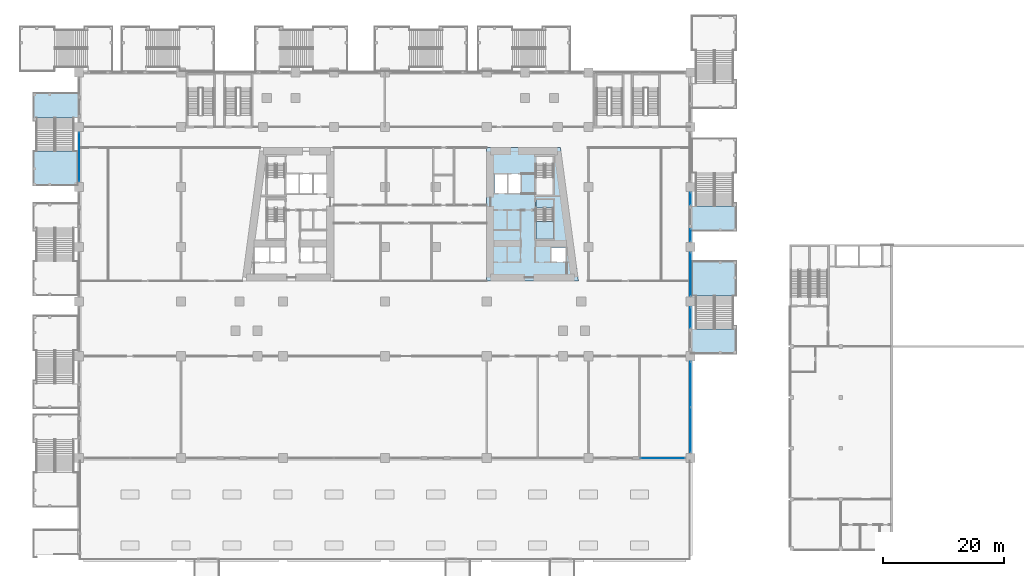
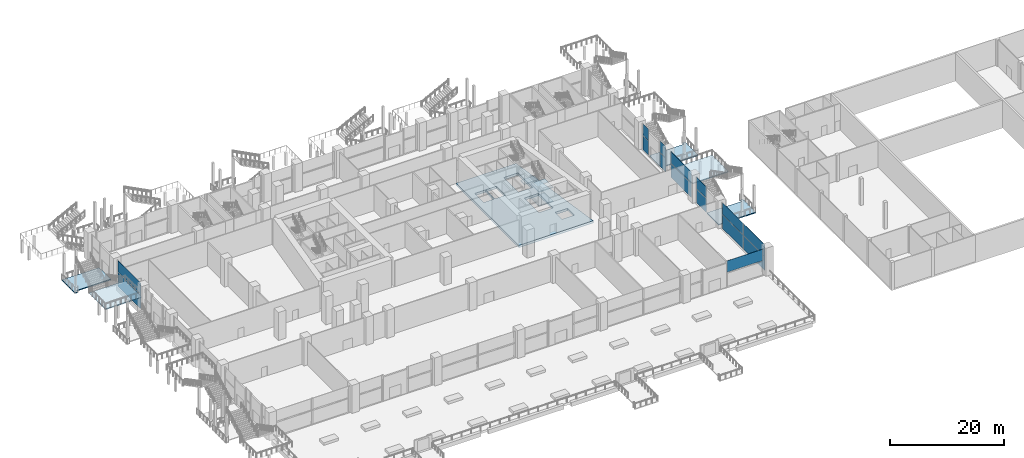
# One storey, part 15 of 47: 15 plates, 9 slabs, 10 elements without a shape of their own.
"""IFC4 building model written with IfcOpenShell, lengths in metres."""

from ifc_helpers import new_model, si_unit, direction, frame, origin, origin_2d, place, context, subcontext, project, spatial, polyline, rectangle, outline, extrude, material, layer, layer_set, type_object, element, aggregate, save


model = new_model("IFC4")

# Units and contexts
model_context = context("Model", 3, precision=1e-05, world=origin(), true_north=direction((0.0, 1.0)))
body_context = subcontext(model_context, "Body", "Model", "MODEL_VIEW")
ifc_project = project(units=[si_unit("LENGTHUNIT", "METRE"), si_unit("AREAUNIT", "SQUARE_METRE"), si_unit("VOLUMEUNIT", "CUBIC_METRE"), si_unit("PLANEANGLEUNIT", "RADIAN"), si_unit("MASSUNIT", "GRAM", prefix="KILO")], contexts=[model_context])

# Site, building, storey
site_placement = place(None, origin())
site = spatial("IfcSite", under=ifc_project, at=site_placement, CompositionType="ELEMENT")
building_placement = place(site_placement, origin())
building = spatial("IfcBuilding", under=site, at=building_placement, Name="Candeia Pilgrim Tower and Theatre", CompositionType="ELEMENT")
storey_placement = place(building_placement, frame((0.0, 0.0, 23.0)))
storey = spatial("IfcBuildingStorey", under=building, at=storey_placement, Name="L03", CompositionType="ELEMENT", Elevation=23.0)

# Curtain wall, plates
ifc_material_1 = material(Name="Aluminium framed podium glazing", Category="aluminium")
curtain_wall_type = type_object("IfcCurtainWallType", Name="CW-P curtain wall", PredefinedType="NOTDEFINED", material=ifc_material_1)
curtain_wall_1_placement = place(storey_placement, origin())
curtain_wall_1 = element("IfcCurtainWall", 1, at=curtain_wall_1_placement, inside=storey, type_object=curtain_wall_type, Name="Curtain wall CW-P L03.040", PredefinedType="NOTDEFINED")
ifc_material_2 = material(Name="Laminated low-iron glass 2 x 8 mm", Category="glass")
ifc_layer_1 = layer(ifc_material_2, 0.035888671875)
ifc_layer_set_1 = layer_set([ifc_layer_1], Name="CW-P glass panel 36")
plate_type = type_object("IfcPlateType", Name="CW-P glass panel 36", PredefinedType="CURTAIN_PANEL", material=ifc_layer_set_1)
plate_1_placement = place(storey_placement, frame((58.800048828125, 130.85009765625, 0.0), z_axis=(0.0, 0.0, 1.0), x_axis=(0.0, 1.0, 0.0)))
plate_1 = element("IfcPlate", 2, at=plate_1_placement, type_object=plate_type, Name="CW-P panel 1.1", PredefinedType="CURTAIN_PANEL", context=body_context, shape_type="SweptSolid", body=[
    extrude(rectangle(XDim=8.02001953125, YDim=0.035888671875, at=origin_2d()), origin(), (0.0, 0.0, 1.0), 2.9599609375),
])
plate_2_placement = place(storey_placement, frame((58.800048828125, 130.85009765625, 3.0400390625), z_axis=(0.0, 0.0, 1.0), x_axis=(0.0, 1.0, 0.0)))
plate_2 = element("IfcPlate", 3, at=plate_2_placement, type_object=plate_type, Name="CW-P panel 1.2", PredefinedType="CURTAIN_PANEL", context=body_context, shape_type="SweptSolid", body=[
    extrude(rectangle(XDim=8.02001953125, YDim=0.035888671875, at=origin_2d()), origin(), (0.0, 0.0, 1.0), 2.4599609375),
])
aggregate(curtain_wall_1, [plate_1, plate_2])

curtain_wall_2_placement = place(storey_placement, origin())
curtain_wall_2 = element("IfcCurtainWall", 4, at=curtain_wall_2_placement, inside=storey, type_object=curtain_wall_type, Name="Curtain wall CW-P L03.220", PredefinedType="NOTDEFINED")
plate_3_placement = place(storey_placement, frame((159.60009765625, 123.949951171875, 0.0), z_axis=(0.0, 0.0, 1.0), x_axis=(0.0, -1.0, 0.0)))
plate_3 = element("IfcPlate", 5, at=plate_3_placement, type_object=plate_type, Name="CW-P panel 1.1", PredefinedType="CURTAIN_PANEL", context=body_context, shape_type="SweptSolid", body=[
    extrude(rectangle(XDim=2.02001953125, YDim=0.035888671875, at=origin_2d()), origin(), (0.0, 0.0, 1.0), 2.9599609375),
])
plate_4_placement = place(storey_placement, frame((159.60009765625, 123.949951171875, 3.0400390625), z_axis=(0.0, 0.0, 1.0), x_axis=(0.0, -1.0, 0.0)))
plate_4 = element("IfcPlate", 6, at=plate_4_placement, type_object=plate_type, Name="CW-P panel 1.2", PredefinedType="CURTAIN_PANEL", context=body_context, shape_type="SweptSolid", body=[
    extrude(rectangle(XDim=2.02001953125, YDim=0.035888671875, at=origin_2d()), origin(), (0.0, 0.0, 1.0), 2.4599609375),
])
aggregate(curtain_wall_2, [plate_3, plate_4])

curtain_wall_3_placement = place(storey_placement, origin())
curtain_wall_3 = element("IfcCurtainWall", 7, at=curtain_wall_3_placement, inside=storey, type_object=curtain_wall_type, Name="Curtain wall CW-P L03.221", PredefinedType="NOTDEFINED")
plate_5_placement = place(storey_placement, frame((159.60009765625, 117.949951171875, 0.0), z_axis=(0.0, 0.0, 1.0), x_axis=(0.0, -1.0, 0.0)))
plate_5 = element("IfcPlate", 8, at=plate_5_placement, type_object=plate_type, Name="CW-P panel 1.1", PredefinedType="CURTAIN_PANEL", context=body_context, shape_type="SweptSolid", body=[
    extrude(rectangle(XDim=2.02001953125, YDim=0.035888671875, at=origin_2d()), origin(), (0.0, 0.0, 1.0), 2.9599609375),
])
plate_6_placement = place(storey_placement, frame((159.60009765625, 117.949951171875, 3.0400390625), z_axis=(0.0, 0.0, 1.0), x_axis=(0.0, -1.0, 0.0)))
plate_6 = element("IfcPlate", 9, at=plate_6_placement, type_object=plate_type, Name="CW-P panel 1.2", PredefinedType="CURTAIN_PANEL", context=body_context, shape_type="SweptSolid", body=[
    extrude(rectangle(XDim=2.02001953125, YDim=0.035888671875, at=origin_2d()), origin(), (0.0, 0.0, 1.0), 2.4599609375),
])
aggregate(curtain_wall_3, [plate_5, plate_6])

curtain_wall_4_placement = place(storey_placement, origin())
curtain_wall_4 = element("IfcCurtainWall", 10, at=curtain_wall_4_placement, inside=storey, type_object=curtain_wall_type, Name="Curtain wall CW-P L03.230", PredefinedType="NOTDEFINED")
plate_7_placement = place(storey_placement, frame((159.60009765625, 111.5, 0.0), z_axis=(0.0, 0.0, 1.0), x_axis=(0.0, -1.0, 0.0)))
plate_7 = element("IfcPlate", 11, at=plate_7_placement, type_object=plate_type, Name="CW-P panel 1.1", PredefinedType="CURTAIN_PANEL", context=body_context, shape_type="SweptSolid", body=[
    extrude(rectangle(XDim=7.1201171875, YDim=0.035888671875, at=origin_2d()), origin(), (0.0, 0.0, 1.0), 2.9599609375),
])
plate_8_placement = place(storey_placement, frame((159.60009765625, 111.5, 3.0400390625), z_axis=(0.0, 0.0, 1.0), x_axis=(0.0, -1.0, 0.0)))
plate_8 = element("IfcPlate", 12, at=plate_8_placement, type_object=plate_type, Name="CW-P panel 1.2", PredefinedType="CURTAIN_PANEL", context=body_context, shape_type="SweptSolid", body=[
    extrude(rectangle(XDim=7.1201171875, YDim=0.035888671875, at=origin_2d()), origin(), (0.0, 0.0, 1.0), 2.4599609375),
])
aggregate(curtain_wall_4, [plate_7, plate_8])

curtain_wall_5_placement = place(storey_placement, origin())
curtain_wall_5 = element("IfcCurtainWall", 13, at=curtain_wall_5_placement, inside=storey, type_object=curtain_wall_type, Name="Curtain wall CW-P L03.240", PredefinedType="NOTDEFINED")
plate_9_placement = place(storey_placement, frame((159.60009765625, 104.375, 0.0), z_axis=(0.0, 0.0, 1.0), x_axis=(0.0, -1.0, 0.0)))
plate_9 = element("IfcPlate", 14, at=plate_9_placement, type_object=plate_type, Name="CW-P panel 1.1", PredefinedType="CURTAIN_PANEL", context=body_context, shape_type="SweptSolid", body=[
    extrude(rectangle(XDim=3.3701171875, YDim=0.035888671875, at=origin_2d()), origin(), (0.0, 0.0, 1.0), 2.9599609375),
])
plate_10_placement = place(storey_placement, frame((159.60009765625, 104.375, 3.0400390625), z_axis=(0.0, 0.0, 1.0), x_axis=(0.0, -1.0, 0.0)))
plate_10 = element("IfcPlate", 15, at=plate_10_placement, type_object=plate_type, Name="CW-P panel 1.2", PredefinedType="CURTAIN_PANEL", context=body_context, shape_type="SweptSolid", body=[
    extrude(rectangle(XDim=3.3701171875, YDim=0.035888671875, at=origin_2d()), origin(), (0.0, 0.0, 1.0), 2.4599609375),
])
aggregate(curtain_wall_5, [plate_9, plate_10])

curtain_wall_6_placement = place(storey_placement, origin())
curtain_wall_6 = element("IfcCurtainWall", 16, at=curtain_wall_6_placement, inside=storey, type_object=curtain_wall_type, Name="Curtain wall CW-P L03.250", PredefinedType="NOTDEFINED")
plate_11_placement = place(storey_placement, frame((159.60009765625, 93.35009765625, 0.0), z_axis=(0.0, 0.0, 1.0), x_axis=(0.0, -1.0, 0.0)))
plate_11 = element("IfcPlate", 17, at=plate_11_placement, type_object=plate_type, Name="CW-P panel 1.1", PredefinedType="CURTAIN_PANEL", context=body_context, shape_type="SweptSolid", body=[
    extrude(rectangle(XDim=7.419921875, YDim=0.035888671875, at=origin_2d()), origin(), (0.0, 0.0, 1.0), 2.9599609375),
])
plate_12_placement = place(storey_placement, frame((159.60009765625, 93.35009765625, 3.0400390625), z_axis=(0.0, 0.0, 1.0), x_axis=(0.0, -1.0, 0.0)))
plate_12 = element("IfcPlate", 18, at=plate_12_placement, type_object=plate_type, Name="CW-P panel 1.2", PredefinedType="CURTAIN_PANEL", context=body_context, shape_type="SweptSolid", body=[
    extrude(rectangle(XDim=7.419921875, YDim=0.035888671875, at=origin_2d()), origin(), (0.0, 0.0, 1.0), 2.4599609375),
])
plate_13_placement = place(storey_placement, frame((159.60009765625, 85.85009765625, 0.0), z_axis=(0.0, 0.0, 1.0), x_axis=(0.0, -1.0, 0.0)))
plate_13 = element("IfcPlate", 19, at=plate_13_placement, type_object=plate_type, Name="CW-P panel 2.1", PredefinedType="CURTAIN_PANEL", context=body_context, shape_type="SweptSolid", body=[
    extrude(rectangle(XDim=7.419921875, YDim=0.035888671875, at=origin_2d()), origin(), (0.0, 0.0, 1.0), 2.9599609375),
])
plate_14_placement = place(storey_placement, frame((159.60009765625, 85.85009765625, 3.0400390625), z_axis=(0.0, 0.0, 1.0), x_axis=(0.0, -1.0, 0.0)))
plate_14 = element("IfcPlate", 20, at=plate_14_placement, type_object=plate_type, Name="CW-P panel 2.2", PredefinedType="CURTAIN_PANEL", context=body_context, shape_type="SweptSolid", body=[
    extrude(rectangle(XDim=7.419921875, YDim=0.035888671875, at=origin_2d()), origin(), (0.0, 0.0, 1.0), 2.4599609375),
])
aggregate(curtain_wall_6, [plate_11, plate_12, plate_13, plate_14])

# Curtain wall, plate
curtain_wall_7_placement = place(storey_placement, origin())
curtain_wall_7 = element("IfcCurtainWall", 21, at=curtain_wall_7_placement, inside=storey, type_object=curtain_wall_type, Name="Curtain wall CW-P L03.300", PredefinedType="NOTDEFINED")
plate_15_placement = place(storey_placement, frame((155.02490234375, 81.199951171875, 3.0400390625), z_axis=(0.0, 0.0, 1.0), x_axis=(-1.0, 0.0, 0.0)))
plate_15 = element("IfcPlate", 22, at=plate_15_placement, type_object=plate_type, Name="CW-P panel 1.2", PredefinedType="CURTAIN_PANEL", context=body_context, shape_type="SweptSolid", body=[
    extrude(rectangle(XDim=7.27001953125, YDim=0.035888671875, at=origin_2d()), origin(), (0.0, 0.0, 1.0), 2.4599609375),
])
aggregate(curtain_wall_7, [plate_15])

# Slabs
ifc_material_3 = material(Name="Concrete C60/75", Category="concrete")
ifc_layer_2 = layer(ifc_material_3, 0.5)
ifc_layer_set_2 = layer_set([ifc_layer_2], Name="FS-CORE 500 core floor")
slab_type_1 = type_object("IfcSlabType", Name="FS-CORE 500 core floor", PredefinedType="FLOOR", material=ifc_layer_set_2)
slab_1_placement = place(storey_placement, frame((0.0, 0.0, -0.5)))
element("IfcSlab", 23, at=slab_1_placement, inside=storey, type_object=slab_type_1, Name="Core floor E L03", PredefinedType="FLOOR", context=body_context, shape_type="SweptSolid", body=[
    extrude(outline(polyline([(138.169189453125, 132.39990234375), (141.130859375, 110.39990234375), (126.0, 110.39990234375), (126.0, 132.39990234375), (138.169189453125, 132.39990234375)]), holes=[polyline([(136.62109375, 115.949951171875), (136.62109375, 113.550048828125), (139.118896484375, 113.550048828125), (139.118896484375, 115.949951171875), (136.62109375, 115.949951171875)]), polyline([(134.097900390625, 117.324951171875), (136.998046875, 117.324951171875), (136.998046875, 122.455078125), (134.097900390625, 122.455078125), (134.097900390625, 117.324951171875)]), polyline([(134.097900390625, 129.705078125), (134.097900390625, 124.574951171875), (136.998046875, 124.574951171875), (136.998046875, 129.705078125), (134.097900390625, 129.705078125)]), polyline([(131.665283203125, 128.050048828125), (129.5078125, 128.050048828125), (129.5078125, 124.85009765625), (131.665283203125, 124.85009765625), (131.665283203125, 128.050048828125)]), polyline([(127.25, 128.050048828125), (127.25, 124.85009765625), (129.40771484375, 124.85009765625), (129.40771484375, 128.050048828125), (127.25, 128.050048828125)])]), origin(), (0.0, 0.0, 1.0), 0.5),
])
ifc_material_4 = material(Name="Concrete C40/50", Category="concrete")
ifc_layer_3 = layer(ifc_material_4, 0.199951171875)
ifc_layer_set_3 = layer_set([ifc_layer_3], Name="SL-EXT stair landing")
slab_type_2 = type_object("IfcSlabType", Name="SL-EXT stair landing", PredefinedType="LANDING", material=ifc_layer_set_3)
slab_2_placement = place(storey_placement, frame((0.0, 0.0, -0.199951171875)))
element("IfcSlab", 24, at=slab_2_placement, inside=storey, type_object=slab_type_2, Name="L03 External escape stair ES1 floor landing", PredefinedType="LANDING", context=body_context, shape_type="SweptSolid", body=[
    extrude(outline(polyline([(159.64990234375, 98.39990234375), (159.64990234375, 102.52001953125), (166.64990234375, 102.52001953125), (166.64990234375, 103.0), (167.14990234375, 103.0), (167.14990234375, 98.39990234375), (159.64990234375, 98.39990234375)])), origin(), (0.0, 0.0, 1.0), 0.199951171875),
])

# Stair, slab
stair_type_1 = type_object("IfcStairType", Name="ST-EXT external escape stair", PredefinedType="HALF_TURN_STAIR", material=ifc_material_4)
stair_1_placement = place(storey_placement, origin())
stair_1 = element("IfcStair", 25, at=stair_1_placement, inside=storey, type_object=stair_type_1, Name="L03 External escape stair ES1", PredefinedType="HALF_TURN_STAIR")
slab_3_placement = place(storey_placement, frame((0.0, 0.0, 2.800048828125)))
slab_3 = element("IfcSlab", 26, at=slab_3_placement, type_object=slab_type_2, Name="L03 External escape stair ES1 landing", PredefinedType="LANDING", context=body_context, shape_type="SweptSolid", body=[
    extrude(outline(polyline([(159.800048828125, 107.919921875), (159.800048828125, 113.659912109375), (167.14990234375, 113.659912109375), (167.14990234375, 107.919921875), (159.800048828125, 107.919921875)])), origin(), (0.0, 0.0, 1.0), 0.199951171875),
])
aggregate(stair_1, [slab_3])

# Slab
slab_4_placement = place(storey_placement, frame((0.0, 0.0, -0.199951171875)))
element("IfcSlab", 27, at=slab_4_placement, inside=storey, type_object=slab_type_2, Name="L03 External escape stair ES13 floor landing", PredefinedType="LANDING", context=body_context, shape_type="SweptSolid", body=[
    extrude(outline(polyline([(58.75, 141.39990234375), (58.75, 137.280029296875), (51.75, 137.280029296875), (51.75, 136.800048828125), (51.25, 136.800048828125), (51.25, 141.39990234375), (58.75, 141.39990234375)])), origin(), (0.0, 0.0, 1.0), 0.199951171875),
])

# Stair, slab
stair_2_placement = place(storey_placement, origin())
stair_2 = element("IfcStair", 28, at=stair_2_placement, inside=storey, type_object=stair_type_1, Name="L03 External escape stair ES13", PredefinedType="HALF_TURN_STAIR")
slab_5_placement = place(storey_placement, frame((0.0, 0.0, 2.800048828125)))
slab_5 = element("IfcSlab", 29, at=slab_5_placement, type_object=slab_type_2, Name="L03 External escape stair ES13 landing", PredefinedType="LANDING", context=body_context, shape_type="SweptSolid", body=[
    extrude(outline(polyline([(58.60009765625, 131.8798828125), (58.60009765625, 126.139892578125), (51.25, 126.139892578125), (51.25, 131.8798828125), (58.60009765625, 131.8798828125)])), origin(), (0.0, 0.0, 1.0), 0.199951171875),
])
aggregate(stair_2, [slab_5])

# Slab
slab_6_placement = place(storey_placement, frame((0.0, 0.0, -0.199951171875)))
element("IfcSlab", 30, at=slab_6_placement, inside=storey, type_object=slab_type_2, Name="L03 External escape stair ES14 floor landing", PredefinedType="LANDING", context=body_context, shape_type="SweptSolid", body=[
    extrude(outline(polyline([(159.64990234375, 118.64990234375), (159.64990234375, 122.77001953125), (166.64990234375, 122.77001953125), (166.64990234375, 123.25), (167.14990234375, 123.25), (167.14990234375, 118.64990234375), (159.64990234375, 118.64990234375)])), origin(), (0.0, 0.0, 1.0), 0.199951171875),
])

# Stair, slabs
stair_type_2 = type_object("IfcStairType", Name="ST-TWR dog-leg escape stair", PredefinedType="HALF_TURN_STAIR", material=ifc_material_4)
stair_3_placement = place(storey_placement, origin())
stair_3 = element("IfcStair", 31, at=stair_3_placement, inside=storey, type_object=stair_type_2, Name="L03 Escape stair ST3", PredefinedType="HALF_TURN_STAIR")
ifc_layer_4 = layer(ifc_material_4, 0.199951171875)
ifc_layer_set_4 = layer_set([ifc_layer_4], Name="SL-LANDING stair landing")
slab_type_3 = type_object("IfcSlabType", Name="SL-LANDING stair landing", PredefinedType="LANDING", material=ifc_layer_set_4)
slab_7_placement = place(storey_placement, frame((0.0, 0.0, 1.300048828125)))
slab_7 = element("IfcSlab", 32, at=slab_7_placement, type_object=slab_type_3, Name="ST3 landing 1", PredefinedType="LANDING", context=body_context, shape_type="SweptSolid", body=[
    extrude(outline(polyline([(134.097900390625, 120.235107421875), (134.097900390625, 117.324951171875), (136.998046875, 117.324951171875), (136.998046875, 120.235107421875), (134.097900390625, 120.235107421875)])), origin(), (0.0, 0.0, 1.0), 0.199951171875),
])
slab_8_placement = place(storey_placement, frame((0.0, 0.0, 2.800048828125)))
slab_8 = element("IfcSlab", 33, at=slab_8_placement, type_object=slab_type_3, Name="ST3 landing 2", PredefinedType="LANDING", context=body_context, shape_type="SweptSolid", body=[
    extrude(outline(polyline([(134.097900390625, 123.824951171875), (134.097900390625, 122.47509765625), (136.998046875, 122.47509765625), (136.998046875, 123.824951171875), (134.097900390625, 123.824951171875)])), origin(), (0.0, 0.0, 1.0), 0.199951171875),
])
slab_9_placement = place(storey_placement, frame((0.0, 0.0, 4.300048828125)))
slab_9 = element("IfcSlab", 34, at=slab_9_placement, type_object=slab_type_3, Name="ST3 landing 3", PredefinedType="LANDING", context=body_context, shape_type="SweptSolid", body=[
    extrude(outline(polyline([(134.097900390625, 120.235107421875), (134.097900390625, 117.324951171875), (136.998046875, 117.324951171875), (136.998046875, 120.235107421875), (134.097900390625, 120.235107421875)])), origin(), (0.0, 0.0, 1.0), 0.199951171875),
])
aggregate(stair_3, [slab_7, slab_8, slab_9])

save(model, "model.ifc")
